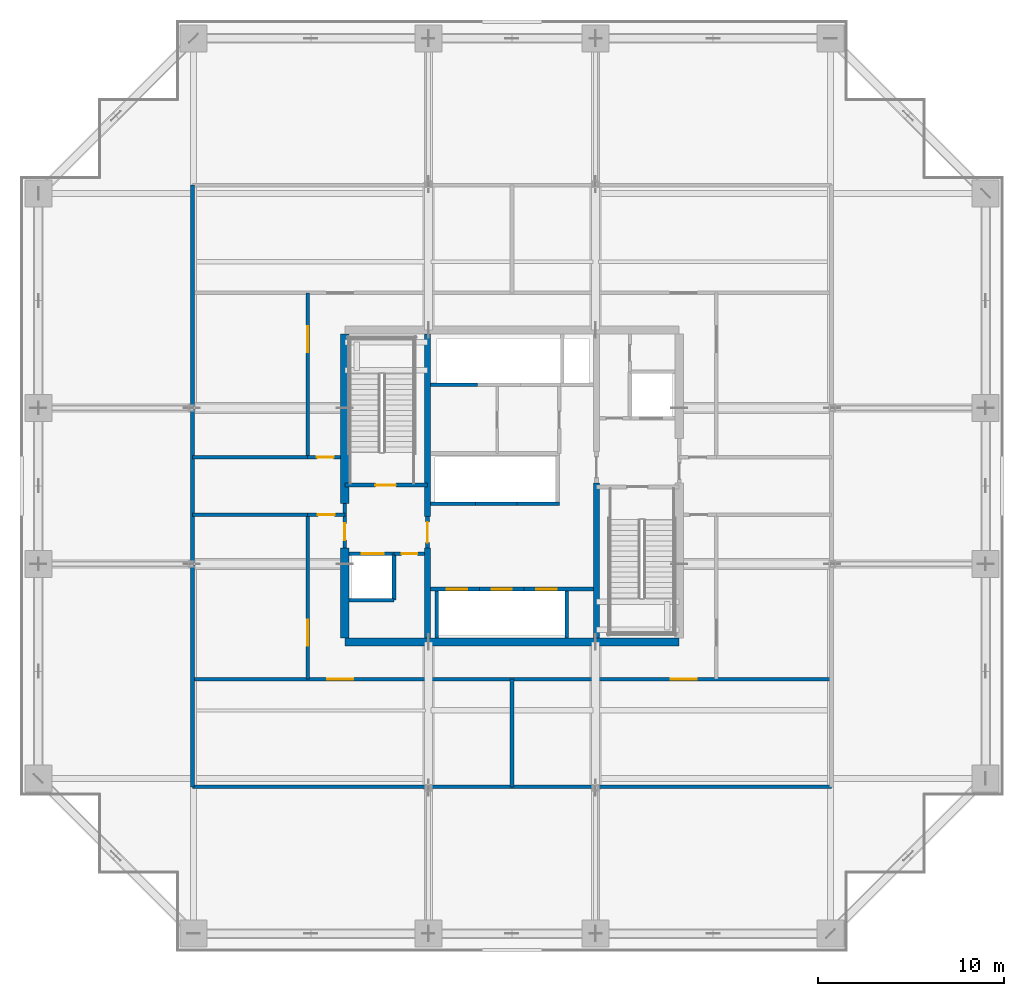
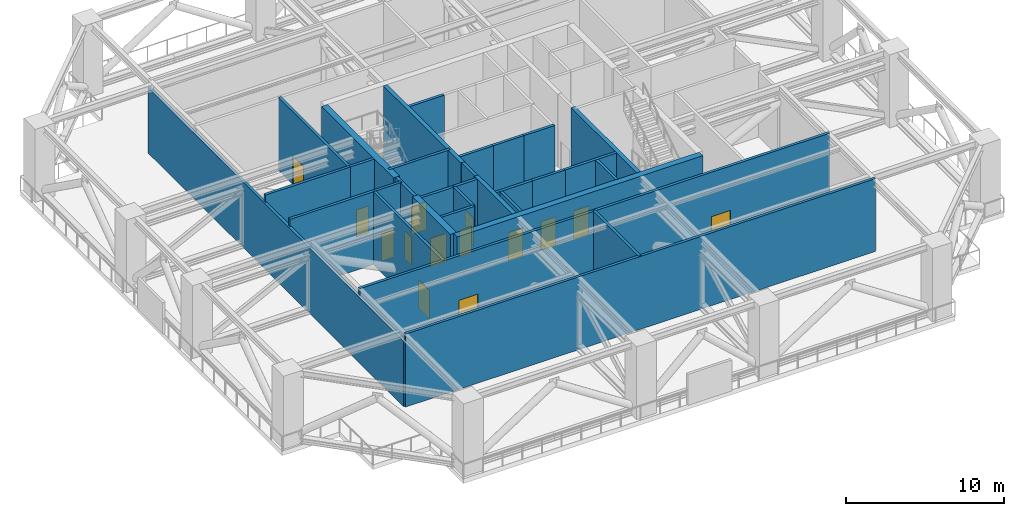
# One storey, part 14 of 21: 32 walls, 14 doors, 14 openings.
"""IFC4 building model written with IfcOpenShell, lengths in metres."""

from ifc_helpers import new_model, si_unit, direction, frame, frame_2d, origin, place, context, subcontext, project, spatial, rectangle, extrude, source, transform, mapped, material, layer, layer_set, type_object, element, fill, save


model = new_model("IFC4")

# Units and contexts
model_context = context("Model", 3, precision=1e-05, world=origin(), true_north=direction((0.0, 1.0)))
body_context = subcontext(model_context, "Body", "Model", "MODEL_VIEW")
ifc_project = project(units=[si_unit("LENGTHUNIT", "METRE"), si_unit("AREAUNIT", "SQUARE_METRE"), si_unit("VOLUMEUNIT", "CUBIC_METRE"), si_unit("PLANEANGLEUNIT", "RADIAN"), si_unit("MASSUNIT", "GRAM", prefix="KILO")], contexts=[model_context])

# Site, building, storey
site_placement = place(None, origin())
site = spatial("IfcSite", under=ifc_project, at=site_placement, CompositionType="ELEMENT")
building_placement = place(site_placement, origin())
building = spatial("IfcBuilding", under=site, at=building_placement, Name="Serunith Strait Residences", CompositionType="ELEMENT")
storey_placement = place(building_placement, frame((0.0, 0.0, 109.199951171875)))
storey = spatial("IfcBuildingStorey", under=building, at=storey_placement, Name="L27", CompositionType="ELEMENT", Elevation=109.199951171875)

# Walls
ifc_material_1 = material(Name="Acoustic concrete block plant wall", Category="concrete")
ifc_layer_1 = layer(ifc_material_1, 0.199951171875, Name="Acoustic concrete block plant wall")
ifc_layer_set_1 = layer_set([ifc_layer_1], Name="Acoustic concrete block plant wall")
wall_type_1 = type_object("IfcWallType", Name="IW-PLANT-200", PredefinedType="STANDARD", material=ifc_layer_set_1)
wall_1_placement = place(storey_placement, frame((15.199951171875, 9.0, 0.0), z_axis=(0.0, 0.0, 1.0), x_axis=(1.0, 0.0, 0.0)))
element("IfcWall", 1, at=wall_1_placement, inside=storey, type_object=wall_type_1, Name="L27 Partition Wall 015", PredefinedType="STANDARD", context=body_context, shape_type="SweptSolid", body=[
    extrude(rectangle(XDim=34.400146484375, YDim=0.199951171875, at=frame_2d((17.2001953125, 0.0))), origin(), (0.0, 0.0, 1.0), 5.64013671875),
])
wall_2_placement = place(storey_placement, frame((15.199951171875, 9.0, 0.0), z_axis=(0.0, 0.0, 1.0), x_axis=(0.0, 1.0, 0.0)))
element("IfcWall", 2, at=wall_2_placement, inside=storey, type_object=wall_type_1, Name="L27 Partition Wall 017", PredefinedType="STANDARD", context=body_context, shape_type="SweptSolid", body=[
    extrude(rectangle(XDim=32.39990234375, YDim=0.199951171875, at=frame_2d((16.199951171875, 0.0))), origin(), (0.0, 0.0, 1.0), 5.072021484375),
])
wall_3_placement = place(storey_placement, frame((15.199951171875, 23.64990234375, 0.0), z_axis=(0.0, 0.0, 1.0), x_axis=(1.0, 0.0, 0.0)))
element("IfcWall", 3, at=wall_3_placement, inside=storey, type_object=wall_type_1, Name="L27 Partition Wall 019", PredefinedType="STANDARD", context=body_context, shape_type="SweptSolid", body=[
    extrude(rectangle(XDim=6.199951171875, YDim=0.199951171875, at=frame_2d((3.10009765625, 0.0))), origin(), (0.0, 0.0, 1.0), 5.64013671875),
])

# Wall, opening, door
wall_4_placement = place(storey_placement, frame((21.402099609375, 23.64990234375, 0.0), z_axis=(0.0, 0.0, 1.0), x_axis=(1.0, 0.0, 0.0)))
wall_4 = element("IfcWall", 4, at=wall_4_placement, inside=storey, type_object=wall_type_1, Name="L27 Partition Wall 020", PredefinedType="STANDARD", context=body_context, shape_type="SweptSolid", body=[
    extrude(rectangle(XDim=1.997802734375, YDim=0.199951171875, at=frame_2d((0.9990234375, 0.0))), origin(), (0.0, 0.0, 1.0), 5.64013671875),
])
opening_1_placement = place(wall_4_placement, frame((0.549072265625, 0.0, 0.0)))
opening_1 = element("IfcOpeningElement", 5, at=opening_1_placement, cuts=wall_4, Name="Opening FD-900", PredefinedType="OPENING", context=body_context, shape_type="SweptSolid", body=[
    extrude(rectangle(XDim=0.89990234375, YDim=2.10009765625, at=frame_2d((0.449951171875, 1.050048828125))), frame((0.0, 0.10986328125, 0.0), z_axis=(0.0, -1.0, 0.0), x_axis=(1.0, 0.0, 0.0)), (0.0, 0.0, 1.0), 0.219970703125),
])
ifc_material_2 = material(Name="Powder-coated steel riser door", Category="steel")
door_type_1 = type_object("IfcDoorType", Name="FD-BOH-900", OperationType="NOTDEFINED", PredefinedType="DOOR", material=ifc_material_2)
shared_shape_1 = source(origin(), body_context, "Body", "SweptSolid", [
    extrude(rectangle(XDim=0.89990234375, YDim=2.10009765625, at=frame_2d((0.449951171875, 1.050048828125))), frame((0.0, 0.02490234375, 0.0), z_axis=(0.0, -1.0, 0.0), x_axis=(1.0, 0.0, 0.0)), (0.0, 0.0, 1.0), 0.050048828125),
])
door_1_placement = place(opening_1_placement, origin())
door_1 = element("IfcDoor", 6, at=door_1_placement, inside=storey, type_object=door_type_1, Name="L27 South-West Plant Corridor Door", OperationType="SINGLE_SWING_RIGHT", OverallHeight=2.10009765625, OverallWidth=0.89990234375, PredefinedType="DOOR", context=body_context, shape_type="MappedRepresentation", body=[
    mapped(shared_shape_1, transform((0.0, 0.0, 0.0), scale=1.0)),
])
fill(opening_1, door_1)

# Wall
wall_5_placement = place(storey_placement, frame((15.199951171875, 26.75, 0.0), z_axis=(0.0, 0.0, 1.0), x_axis=(1.0, 0.0, 0.0)))
element("IfcWall", 7, at=wall_5_placement, inside=storey, type_object=wall_type_1, Name="L27 Partition Wall 021", PredefinedType="STANDARD", context=body_context, shape_type="SweptSolid", body=[
    extrude(rectangle(XDim=6.199951171875, YDim=0.199951171875, at=frame_2d((3.10009765625, 0.0))), origin(), (0.0, 0.0, 1.0), 5.64013671875),
])

# Wall, opening, door
wall_6_placement = place(storey_placement, frame((21.402099609375, 26.75, 0.0), z_axis=(0.0, 0.0, 1.0), x_axis=(1.0, 0.0, 0.0)))
wall_6 = element("IfcWall", 8, at=wall_6_placement, inside=storey, type_object=wall_type_1, Name="L27 Partition Wall 022", PredefinedType="STANDARD", context=body_context, shape_type="SweptSolid", body=[
    extrude(rectangle(XDim=1.77294921875, YDim=0.199951171875, at=frame_2d((0.886474609375, 0.0))), origin(), (0.0, 0.0, 1.0), 5.64013671875),
])
opening_2_placement = place(wall_6_placement, frame((0.490966796875, 0.0, 0.0)))
opening_2 = element("IfcOpeningElement", 9, at=opening_2_placement, cuts=wall_6, Name="Opening FD-900", PredefinedType="OPENING", context=body_context, shape_type="SweptSolid", body=[
    extrude(rectangle(XDim=0.89990234375, YDim=2.10009765625, at=frame_2d((0.449951171875, 1.050048828125))), frame((0.0, 0.10986328125, 0.0), z_axis=(0.0, -1.0, 0.0), x_axis=(1.0, 0.0, 0.0)), (0.0, 0.0, 1.0), 0.219970703125),
])
door_2_placement = place(opening_2_placement, origin())
door_2 = element("IfcDoor", 10, at=door_2_placement, inside=storey, type_object=door_type_1, Name="L27 North-West Plant Corridor Door", OperationType="SINGLE_SWING_LEFT", OverallHeight=2.10009765625, OverallWidth=0.89990234375, PredefinedType="DOOR", context=body_context, shape_type="MappedRepresentation", body=[
    mapped(shared_shape_1, transform((0.0, 0.0, 0.0), scale=1.0)),
])
fill(opening_2, door_2)

# Wall, openings, doors
wall_7_placement = place(storey_placement, frame((15.199951171875, 14.800048828125, 0.0), z_axis=(0.0, 0.0, 1.0), x_axis=(1.0, 0.0, 0.0)))
wall_7 = element("IfcWall", 11, at=wall_7_placement, inside=storey, type_object=wall_type_1, Name="L27 Partition Wall 027", PredefinedType="STANDARD", context=body_context, shape_type="SweptSolid", body=[
    extrude(rectangle(XDim=34.400146484375, YDim=0.199951171875, at=frame_2d((17.2001953125, 0.0))), origin(), (0.0, 0.0, 1.0), 5.64013671875),
])
opening_3_placement = place(wall_7_placement, frame((7.260009765625, 0.0, 0.0)))
opening_3 = element("IfcOpeningElement", 12, at=opening_3_placement, cuts=wall_7, Name="Opening FD-1400", PredefinedType="OPENING", context=body_context, shape_type="SweptSolid", body=[
    extrude(rectangle(XDim=1.39990234375, YDim=2.199951171875, at=frame_2d((0.699951171875, 1.10009765625))), frame((0.0, 0.10986328125, 0.0), z_axis=(0.0, -1.0, 0.0), x_axis=(1.0, 0.0, 0.0)), (0.0, 0.0, 1.0), 0.219970703125),
])
opening_4_placement = place(wall_7_placement, frame((25.739990234375, 0.0, 0.0)))
opening_4 = element("IfcOpeningElement", 13, at=opening_4_placement, cuts=wall_7, Name="Opening FD-1400", PredefinedType="OPENING", context=body_context, shape_type="SweptSolid", body=[
    extrude(rectangle(XDim=1.39990234375, YDim=2.199951171875, at=frame_2d((0.699951171875, 1.10009765625))), frame((0.0, 0.10986328125, 0.0), z_axis=(0.0, -1.0, 0.0), x_axis=(1.0, 0.0, 0.0)), (0.0, 0.0, 1.0), 0.219970703125),
])
ifc_material_3 = material(Name="Acoustic double-skin steel plant door", Category="steel")
door_type_2 = type_object("IfcDoorType", Name="FD-PLANT-1400", OperationType="DOUBLE_DOOR_SINGLE_SWING", PredefinedType="DOOR", material=ifc_material_3)
shared_shape_2 = source(origin(), body_context, "Body", "SweptSolid", [
    extrude(rectangle(XDim=1.39990234375, YDim=2.199951171875, at=frame_2d((0.699951171875, 1.10009765625))), frame((0.0, 0.02490234375, 0.0), z_axis=(0.0, -1.0, 0.0), x_axis=(1.0, 0.0, 0.0)), (0.0, 0.0, 1.0), 0.050048828125),
])
door_3_placement = place(opening_3_placement, origin())
door_3 = element("IfcDoor", 14, at=door_3_placement, inside=storey, type_object=door_type_2, Name="L27 Chilled Water Plant Door", OperationType="DOUBLE_DOOR_SINGLE_SWING", OverallHeight=2.199951171875, OverallWidth=1.39990234375, PredefinedType="DOOR", context=body_context, shape_type="MappedRepresentation", body=[
    mapped(shared_shape_2, transform((0.0, 0.0, 0.0), scale=1.0)),
])
fill(opening_3, door_3)
door_4_placement = place(opening_4_placement, origin())
door_4 = element("IfcDoor", 15, at=door_4_placement, inside=storey, type_object=door_type_2, Name="L27 AHU Mechanical Plant Door", OperationType="DOUBLE_DOOR_SINGLE_SWING", OverallHeight=2.199951171875, OverallWidth=1.39990234375, PredefinedType="DOOR", context=body_context, shape_type="MappedRepresentation", body=[
    mapped(shared_shape_2, transform((0.0, 0.0, 0.0), scale=1.0)),
])
fill(opening_4, door_4)

# Wall
wall_8_placement = place(storey_placement, frame((32.39990234375, 9.0, 0.0), z_axis=(0.0, 0.0, 1.0), x_axis=(0.0, 1.0, 0.0)))
element("IfcWall", 16, at=wall_8_placement, inside=storey, type_object=wall_type_1, Name="L27 Partition Wall 029", PredefinedType="STANDARD", context=body_context, shape_type="SweptSolid", body=[
    extrude(rectangle(XDim=5.800048828125, YDim=0.199951171875, at=frame_2d((2.89990234375, 0.0))), origin(), (0.0, 0.0, 1.0), 5.64013671875),
])

# Wall, opening, door
wall_9_placement = place(storey_placement, frame((21.39990234375, 14.800048828125, 0.0), z_axis=(0.0, 0.0, 1.0), x_axis=(0.0, 1.0, 0.0)))
wall_9 = element("IfcWall", 17, at=wall_9_placement, inside=storey, type_object=wall_type_1, Name="L27 Partition Wall 031", PredefinedType="STANDARD", context=body_context, shape_type="SweptSolid", body=[
    extrude(rectangle(XDim=8.849853515625, YDim=0.199951171875, at=frame_2d((4.4248046875, 0.0))), origin(), (0.0, 0.0, 1.0), 5.64013671875),
])
opening_5_placement = place(wall_9_placement, frame((1.7880859375, 0.0, 0.0)))
opening_5 = element("IfcOpeningElement", 18, at=opening_5_placement, cuts=wall_9, Name="Opening FD-1400", PredefinedType="OPENING", context=body_context, shape_type="SweptSolid", body=[
    extrude(rectangle(XDim=1.39990234375, YDim=2.199951171875, at=frame_2d((0.699951171875, 1.10009765625))), frame((0.0, 0.10986328125, 0.0), z_axis=(0.0, -1.0, 0.0), x_axis=(1.0, 0.0, 0.0)), (0.0, 0.0, 1.0), 0.219970703125),
])
door_5_placement = place(opening_5_placement, origin())
door_5 = element("IfcDoor", 19, at=door_5_placement, inside=storey, type_object=door_type_2, Name="L27 South-West Fan Plant Door", OperationType="DOUBLE_DOOR_SINGLE_SWING", OverallHeight=2.199951171875, OverallWidth=1.39990234375, PredefinedType="DOOR", context=body_context, shape_type="MappedRepresentation", body=[
    mapped(shared_shape_2, transform((0.0, 0.0, 0.0), scale=1.0)),
])
fill(opening_5, door_5)

wall_10_placement = place(storey_placement, frame((21.39990234375, 26.75, 0.0), z_axis=(0.0, 0.0, 1.0), x_axis=(0.0, 1.0, 0.0)))
wall_10 = element("IfcWall", 20, at=wall_10_placement, inside=storey, type_object=wall_type_1, Name="L27 Partition Wall 032", PredefinedType="STANDARD", context=body_context, shape_type="SweptSolid", body=[
    extrude(rectangle(XDim=8.85009765625, YDim=0.199951171875, at=frame_2d((4.425048828125, 0.0))), origin(), (0.0, 0.0, 1.0), 5.64013671875),
])
opening_6_placement = place(wall_10_placement, frame((5.662109375, 0.0, 0.0)))
opening_6 = element("IfcOpeningElement", 21, at=opening_6_placement, cuts=wall_10, Name="Opening FD-1400", PredefinedType="OPENING", context=body_context, shape_type="SweptSolid", body=[
    extrude(rectangle(XDim=1.39990234375, YDim=2.199951171875, at=frame_2d((0.699951171875, 1.10009765625))), frame((0.0, 0.10986328125, 0.0), z_axis=(0.0, -1.0, 0.0), x_axis=(1.0, 0.0, 0.0)), (0.0, 0.0, 1.0), 0.219970703125),
])
door_6_placement = place(opening_6_placement, origin())
door_6 = element("IfcDoor", 22, at=door_6_placement, inside=storey, type_object=door_type_2, Name="L27 North-West Fan Plant Door", OperationType="DOUBLE_DOOR_SINGLE_SWING", OverallHeight=2.199951171875, OverallWidth=1.39990234375, PredefinedType="DOOR", context=body_context, shape_type="MappedRepresentation", body=[
    mapped(shared_shape_2, transform((0.0, 0.0, 0.0), scale=1.0)),
])
fill(opening_6, door_6)

ifc_material_4 = material(Name="Autoclaved aerated concrete blockwork", Category="masonry")
ifc_layer_2 = layer(ifc_material_4, 0.199951171875, Name="Autoclaved aerated concrete blockwork")
ifc_layer_set_2 = layer_set([ifc_layer_2], Name="Autoclaved aerated concrete blockwork")
wall_type_2 = type_object("IfcWallType", Name="IW-SHAFT-200", PredefinedType="STANDARD", material=ifc_layer_set_2)
wall_11_placement = place(storey_placement, frame((23.39990234375, 25.25, 0.0), z_axis=(0.0, 0.0, 1.0), x_axis=(1.0, 0.0, 0.0)))
wall_11 = element("IfcWall", 23, at=wall_11_placement, inside=storey, type_object=wall_type_2, Name="L27 ST-1 South Shaft Wall", PredefinedType="STANDARD", context=body_context, shape_type="SweptSolid", body=[
    extrude(rectangle(XDim=4.4501953125, YDim=0.199951171875, at=frame_2d((2.22509765625, 0.0))), origin(), (0.0, 0.0, 1.0), 5.64013671875),
])
opening_7_placement = place(wall_11_placement, frame((1.64990234375, 0.0, 0.0)))
opening_7 = element("IfcOpeningElement", 24, at=opening_7_placement, cuts=wall_11, Name="Opening FD-1100", PredefinedType="OPENING", context=body_context, shape_type="SweptSolid", body=[
    extrude(rectangle(XDim=1.10009765625, YDim=2.14990234375, at=frame_2d((0.550048828125, 1.074951171875))), frame((0.0, 0.10986328125, 0.0), z_axis=(0.0, -1.0, 0.0), x_axis=(1.0, 0.0, 0.0)), (0.0, 0.0, 1.0), 0.219970703125),
])
ifc_material_5 = material(Name="Galvanised steel fire door leaf", Category="steel")
door_type_3 = type_object("IfcDoorType", Name="FD-STAIR-1100", OperationType="NOTDEFINED", PredefinedType="DOOR", material=ifc_material_5)
shared_shape_3 = source(origin(), body_context, "Body", "SweptSolid", [
    extrude(rectangle(XDim=1.10009765625, YDim=2.14990234375, at=frame_2d((0.550048828125, 1.074951171875))), frame((0.0, 0.02490234375, 0.0), z_axis=(0.0, -1.0, 0.0), x_axis=(1.0, 0.0, 0.0)), (0.0, 0.0, 1.0), 0.050048828125),
])
door_7_placement = place(opening_7_placement, origin())
door_7 = element("IfcDoor", 25, at=door_7_placement, inside=storey, type_object=door_type_3, Name="L27 ST-1 Escape Stair Door", OperationType="SINGLE_SWING_LEFT", OverallHeight=2.14990234375, OverallWidth=1.10009765625, PredefinedType="DOOR", context=body_context, shape_type="MappedRepresentation", body=[
    mapped(shared_shape_3, transform((0.0, 0.0, 0.0), scale=1.0)),
])
fill(opening_7, door_7)

wall_12_placement = place(storey_placement, frame((23.625, 21.550048828125, 0.0), z_axis=(0.0, 0.0, 1.0), x_axis=(1.0, 0.0, 0.0)))
wall_12 = element("IfcWall", 26, at=wall_12_placement, inside=storey, type_object=wall_type_2, Name="L27 FL-1 North Shaft Wall", PredefinedType="STANDARD", context=body_context, shape_type="SweptSolid", body=[
    extrude(rectangle(XDim=2.425048828125, YDim=0.199951171875, at=frame_2d((1.21240234375, 0.0))), origin(), (0.0, 0.0, 1.0), 5.64013671875),
])
opening_8_placement = place(wall_12_placement, frame((0.675048828125, 0.0, 0.0)))
opening_8 = element("IfcOpeningElement", 27, at=opening_8_placement, cuts=wall_12, Name="Opening LD-FF1200", PredefinedType="OPENING", context=body_context, shape_type="SweptSolid", body=[
    extrude(rectangle(XDim=1.199951171875, YDim=2.199951171875, at=frame_2d((0.60009765625, 1.10009765625))), frame((0.0, 0.10986328125, 0.0), z_axis=(0.0, -1.0, 0.0), x_axis=(1.0, 0.0, 0.0)), (0.0, 0.0, 1.0), 0.219970703125),
])
ifc_material_6 = material(Name="Brushed stainless steel landing door", Category="steel")
door_type_4 = type_object("IfcDoorType", Name="LD-FF-1200", OperationType="DOUBLE_DOOR_SLIDING", PredefinedType="DOOR", material=ifc_material_6)
shared_shape_4 = source(origin(), body_context, "Body", "SweptSolid", [
    extrude(rectangle(XDim=1.199951171875, YDim=2.199951171875, at=frame_2d((0.60009765625, 1.10009765625))), frame((0.0, 0.02490234375, 0.0), z_axis=(0.0, -1.0, 0.0), x_axis=(1.0, 0.0, 0.0)), (0.0, 0.0, 1.0), 0.050048828125),
])
door_8_placement = place(opening_8_placement, origin())
door_8 = element("IfcDoor", 28, at=door_8_placement, inside=storey, type_object=door_type_4, Name="L27 FL-1 Landing Door", OperationType="DOUBLE_DOOR_SLIDING", OverallHeight=2.199951171875, OverallWidth=1.199951171875, PredefinedType="DOOR", context=body_context, shape_type="MappedRepresentation", body=[
    mapped(shared_shape_4, transform((0.0, 0.0, 0.0), scale=1.0)),
])
fill(opening_8, door_8)

wall_13_placement = place(storey_placement, frame((28.0, 19.64990234375, 0.0), z_axis=(0.0, 0.0, 1.0), x_axis=(1.0, 0.0, 0.0)))
wall_13 = element("IfcWall", 29, at=wall_13_placement, inside=storey, type_object=wall_type_2, Name="L27 PL-1 North Shaft Wall", PredefinedType="STANDARD", context=body_context, shape_type="SweptSolid", body=[
    extrude(rectangle(XDim=2.64990234375, YDim=0.199951171875, at=frame_2d((1.324951171875, 0.0))), origin(), (0.0, 0.0, 1.0), 5.64013671875),
])
opening_9_placement = place(wall_13_placement, frame((0.89990234375, 0.0, 0.0)))
opening_9 = element("IfcOpeningElement", 30, at=opening_9_placement, cuts=wall_13, Name="Opening LD-1100", PredefinedType="OPENING", context=body_context, shape_type="SweptSolid", body=[
    extrude(rectangle(XDim=1.10009765625, YDim=2.199951171875, at=frame_2d((0.550048828125, 1.10009765625))), frame((0.0, 0.10986328125, 0.0), z_axis=(0.0, -1.0, 0.0), x_axis=(1.0, 0.0, 0.0)), (0.0, 0.0, 1.0), 0.219970703125),
])
ifc_material_7 = material(Name="Pale-champagne stainless landing door")
door_type_5 = type_object("IfcDoorType", Name="LD-LIFT-1100", OperationType="DOUBLE_DOOR_SLIDING", PredefinedType="DOOR", material=ifc_material_7)
shared_shape_5 = source(origin(), body_context, "Body", "SweptSolid", [
    extrude(rectangle(XDim=1.10009765625, YDim=2.199951171875, at=frame_2d((0.550048828125, 1.10009765625))), frame((0.0, 0.02490234375, 0.0), z_axis=(0.0, -1.0, 0.0), x_axis=(1.0, 0.0, 0.0)), (0.0, 0.0, 1.0), 0.050048828125),
])
door_9_placement = place(opening_9_placement, origin())
door_9 = element("IfcDoor", 31, at=door_9_placement, inside=storey, type_object=door_type_5, Name="L27 PL-1 Landing Door", OperationType="DOUBLE_DOOR_SLIDING", OverallHeight=2.199951171875, OverallWidth=1.10009765625, PredefinedType="DOOR", context=body_context, shape_type="MappedRepresentation", body=[
    mapped(shared_shape_5, transform((0.0, 0.0, 0.0), scale=1.0)),
])
fill(opening_9, door_9)

# Wall
wall_14_placement = place(storey_placement, frame((28.35009765625, 17.02490234375, 0.0), z_axis=(0.0, 0.0, 1.0), x_axis=(0.0, 1.0, 0.0)))
element("IfcWall", 32, at=wall_14_placement, inside=storey, type_object=wall_type_2, Name="L27 PL-1 West Shaft Wall", PredefinedType="STANDARD", context=body_context, shape_type="SweptSolid", body=[
    extrude(rectangle(XDim=2.525146484375, YDim=0.199951171875, at=frame_2d((1.2626953125, 0.0))), origin(), (0.0, 0.0, 1.0), 5.64013671875),
])

# Wall, opening, door
wall_15_placement = place(storey_placement, frame((30.64990234375, 19.64990234375, 0.0), z_axis=(0.0, 0.0, 1.0), x_axis=(1.0, 0.0, 0.0)))
wall_15 = element("IfcWall", 33, at=wall_15_placement, inside=storey, type_object=wall_type_2, Name="L27 PL-2 North Shaft Wall", PredefinedType="STANDARD", context=body_context, shape_type="SweptSolid", body=[
    extrude(rectangle(XDim=2.400146484375, YDim=0.199951171875, at=frame_2d((1.2001953125, 0.0))), origin(), (0.0, 0.0, 1.0), 5.64013671875),
])
opening_10_placement = place(wall_15_placement, frame((0.64990234375, 0.0, 0.0)))
opening_10 = element("IfcOpeningElement", 34, at=opening_10_placement, cuts=wall_15, Name="Opening LD-1100", PredefinedType="OPENING", context=body_context, shape_type="SweptSolid", body=[
    extrude(rectangle(XDim=1.10009765625, YDim=2.199951171875, at=frame_2d((0.550048828125, 1.10009765625))), frame((0.0, 0.10986328125, 0.0), z_axis=(0.0, -1.0, 0.0), x_axis=(1.0, 0.0, 0.0)), (0.0, 0.0, 1.0), 0.219970703125),
])
door_10_placement = place(opening_10_placement, origin())
door_10 = element("IfcDoor", 35, at=door_10_placement, inside=storey, type_object=door_type_5, Name="L27 PL-2 Landing Door", OperationType="DOUBLE_DOOR_SLIDING", OverallHeight=2.199951171875, OverallWidth=1.10009765625, PredefinedType="DOOR", context=body_context, shape_type="MappedRepresentation", body=[
    mapped(shared_shape_5, transform((0.0, 0.0, 0.0), scale=1.0)),
])
fill(opening_10, door_10)

wall_16_placement = place(storey_placement, frame((33.050048828125, 19.64990234375, 0.0), z_axis=(0.0, 0.0, 1.0), x_axis=(1.0, 0.0, 0.0)))
wall_16 = element("IfcWall", 36, at=wall_16_placement, inside=storey, type_object=wall_type_2, Name="L27 PL-3 North Shaft Wall", PredefinedType="STANDARD", context=body_context, shape_type="SweptSolid", body=[
    extrude(rectangle(XDim=3.75, YDim=0.199951171875, at=frame_2d((1.875, 0.0))), origin(), (0.0, 0.0, 1.0), 5.64013671875),
])
opening_11_placement = place(wall_16_placement, frame((0.64990234375, 0.0, 0.0)))
opening_11 = element("IfcOpeningElement", 37, at=opening_11_placement, cuts=wall_16, Name="Opening LD-1100", PredefinedType="OPENING", context=body_context, shape_type="SweptSolid", body=[
    extrude(rectangle(XDim=1.10009765625, YDim=2.199951171875, at=frame_2d((0.550048828125, 1.10009765625))), frame((0.0, 0.10986328125, 0.0), z_axis=(0.0, -1.0, 0.0), x_axis=(1.0, 0.0, 0.0)), (0.0, 0.0, 1.0), 0.219970703125),
])
door_11_placement = place(opening_11_placement, origin())
door_11 = element("IfcDoor", 38, at=door_11_placement, inside=storey, type_object=door_type_5, Name="L27 PL-3 Landing Door", OperationType="DOUBLE_DOOR_SLIDING", OverallHeight=2.199951171875, OverallWidth=1.10009765625, PredefinedType="DOOR", context=body_context, shape_type="MappedRepresentation", body=[
    mapped(shared_shape_5, transform((0.0, 0.0, 0.0), scale=1.0)),
])
fill(opening_11, door_11)

# Walls
wall_17_placement = place(storey_placement, frame((35.35009765625, 17.02490234375, 0.0), z_axis=(0.0, 0.0, 1.0), x_axis=(0.0, 1.0, 0.0)))
element("IfcWall", 39, at=wall_17_placement, inside=storey, type_object=wall_type_2, Name="L27 PL-3 East Shaft Wall", PredefinedType="STANDARD", context=body_context, shape_type="SweptSolid", body=[
    extrude(rectangle(XDim=2.525146484375, YDim=0.199951171875, at=frame_2d((1.2626953125, 0.0))), origin(), (0.0, 0.0, 1.0), 5.64013671875),
])
wall_18_placement = place(storey_placement, frame((28.0, 24.25, 0.0), z_axis=(0.0, 0.0, 1.0), x_axis=(1.0, 0.0, 0.0)))
element("IfcWall", 40, at=wall_18_placement, inside=storey, type_object=wall_type_2, Name="L27 PL-4 South Shaft Wall", PredefinedType="STANDARD", context=body_context, shape_type="SweptSolid", body=[
    extrude(rectangle(XDim=2.425048828125, YDim=0.199951171875, at=frame_2d((1.21240234375, 0.0))), origin(), (0.0, 0.0, 1.0), 5.64013671875),
])
wall_19_placement = place(storey_placement, frame((30.425048828125, 24.25, 0.0), z_axis=(0.0, 0.0, 1.0), x_axis=(1.0, 0.0, 0.0)))
element("IfcWall", 41, at=wall_19_placement, inside=storey, type_object=wall_type_2, Name="L27 PL-5 South Shaft Wall", PredefinedType="STANDARD", context=body_context, shape_type="SweptSolid", body=[
    extrude(rectangle(XDim=2.25, YDim=0.199951171875, at=frame_2d((1.125, 0.0))), origin(), (0.0, 0.0, 1.0), 5.64013671875),
])
wall_20_placement = place(storey_placement, frame((32.675048828125, 24.25, 0.0), z_axis=(0.0, 0.0, 1.0), x_axis=(1.0, 0.0, 0.0)))
element("IfcWall", 42, at=wall_20_placement, inside=storey, type_object=wall_type_2, Name="L27 PL-6 South Shaft Wall", PredefinedType="STANDARD", context=body_context, shape_type="SweptSolid", body=[
    extrude(rectangle(XDim=2.27490234375, YDim=0.199951171875, at=frame_2d((1.137451171875, 0.0))), origin(), (0.0, 0.0, 1.0), 5.64013671875),
])
wall_21_placement = place(storey_placement, frame((28.0, 30.64990234375, 0.0), z_axis=(0.0, 0.0, 1.0), x_axis=(1.0, 0.0, 0.0)))
element("IfcWall", 43, at=wall_21_placement, inside=storey, type_object=wall_type_2, Name="L27 PL-7 South Shaft Wall", PredefinedType="STANDARD", context=body_context, shape_type="SweptSolid", body=[
    extrude(rectangle(XDim=2.550048828125, YDim=0.199951171875, at=frame_2d((1.27490234375, 0.0))), origin(), (0.0, 0.0, 1.0), 5.64013671875),
])
wall_22_placement = place(storey_placement, frame((26.050048828125, 19.050048828125, 0.0), z_axis=(0.0, 0.0, 1.0), x_axis=(0.0, 1.0, 0.0)))
element("IfcWall", 44, at=wall_22_placement, inside=storey, type_object=wall_type_2, Name="L27 Partition Wall 001", PredefinedType="STANDARD", context=body_context, shape_type="SweptSolid", body=[
    extrude(rectangle(XDim=2.5, YDim=0.199951171875, at=frame_2d((1.25, 0.0))), origin(), (0.0, 0.0, 1.0), 5.64013671875),
])
wall_23_placement = place(storey_placement, frame((23.625, 19.050048828125, 0.0), z_axis=(0.0, 0.0, 1.0), x_axis=(1.0, 0.0, 0.0)))
element("IfcWall", 45, at=wall_23_placement, inside=storey, type_object=wall_type_2, Name="L27 Partition Wall 002", PredefinedType="STANDARD", context=body_context, shape_type="SweptSolid", body=[
    extrude(rectangle(XDim=2.425048828125, YDim=0.199951171875, at=frame_2d((1.21240234375, 0.0))), origin(), (0.0, 0.0, 1.0), 5.64013671875),
])

# Wall, opening, door
wall_24_placement = place(storey_placement, frame((26.052001953125, 21.550048828125, 0.0), z_axis=(0.0, 0.0, 1.0), x_axis=(1.0, 0.0, 0.0)))
wall_24 = element("IfcWall", 46, at=wall_24_placement, inside=storey, type_object=wall_type_2, Name="L27 Partition Wall 003", PredefinedType="STANDARD", context=body_context, shape_type="SweptSolid", body=[
    extrude(rectangle(XDim=1.64794921875, YDim=0.199951171875, at=frame_2d((0.823974609375, 0.0))), origin(), (0.0, 0.0, 1.0), 5.64013671875),
])
opening_12_placement = place(wall_24_placement, frame((0.39892578125, 0.0, 0.0)))
opening_12 = element("IfcOpeningElement", 47, at=opening_12_placement, cuts=wall_24, Name="Opening FD-850", PredefinedType="OPENING", context=body_context, shape_type="SweptSolid", body=[
    extrude(rectangle(XDim=0.85009765625, YDim=2.10009765625, at=frame_2d((0.425048828125, 1.050048828125))), frame((0.0, 0.10986328125, 0.0), z_axis=(0.0, -1.0, 0.0), x_axis=(1.0, 0.0, 0.0)), (0.0, 0.0, 1.0), 0.219970703125),
])
ifc_material_8 = material(Name="Powder-coated steel service closet door", Category="steel")
door_type_6 = type_object("IfcDoorType", Name="FD-BOH-850", OperationType="NOTDEFINED", PredefinedType="DOOR", material=ifc_material_8)
shared_shape_6 = source(origin(), body_context, "Body", "SweptSolid", [
    extrude(rectangle(XDim=0.85009765625, YDim=2.10009765625, at=frame_2d((0.425048828125, 1.050048828125))), frame((0.0, 0.02490234375, 0.0), z_axis=(0.0, -1.0, 0.0), x_axis=(1.0, 0.0, 0.0)), (0.0, 0.0, 1.0), 0.050048828125),
])
door_12_placement = place(opening_12_placement, origin())
door_12 = element("IfcDoor", 48, at=door_12_placement, inside=storey, type_object=door_type_6, Name="L27 South-West Core Service Door", OperationType="SINGLE_SWING_LEFT", OverallHeight=2.10009765625, OverallWidth=0.85009765625, PredefinedType="DOOR", context=body_context, shape_type="MappedRepresentation", body=[
    mapped(shared_shape_6, transform((0.0, 0.0, 0.0), scale=1.0)),
])
fill(opening_12, door_12)

wall_25_placement = place(storey_placement, frame((23.39990234375, 21.85205078125, 0.0), z_axis=(0.0, 0.0, 1.0), x_axis=(0.0, 1.0, 0.0)))
wall_25 = element("IfcWall", 49, at=wall_25_placement, inside=storey, type_object=wall_type_2, Name="L27 Partition Wall 007", PredefinedType="STANDARD", context=body_context, shape_type="SweptSolid", body=[
    extrude(rectangle(XDim=2.39599609375, YDim=0.199951171875, at=frame_2d((1.197998046875, 0.0))), origin(), (0.0, 0.0, 1.0), 5.64013671875),
])
opening_13_placement = place(wall_25_placement, frame((0.43701171875, 0.0, 0.0)))
opening_13 = element("IfcOpeningElement", 50, at=opening_13_placement, cuts=wall_25, Name="Opening FD-900", PredefinedType="OPENING", context=body_context, shape_type="SweptSolid", body=[
    extrude(rectangle(XDim=0.89990234375, YDim=2.10009765625, at=frame_2d((0.449951171875, 1.050048828125))), frame((0.0, 0.10986328125, 0.0), z_axis=(0.0, -1.0, 0.0), x_axis=(1.0, 0.0, 0.0)), (0.0, 0.0, 1.0), 0.219970703125),
])
door_13_placement = place(opening_13_placement, origin())
door_13 = element("IfcDoor", 51, at=door_13_placement, inside=storey, type_object=door_type_1, Name="L27 FFL-1 Corridor Fire Door", OperationType="SINGLE_SWING_LEFT", OverallHeight=2.10009765625, OverallWidth=0.89990234375, PredefinedType="DOOR", context=body_context, shape_type="MappedRepresentation", body=[
    mapped(shared_shape_1, transform((0.0, 0.0, 0.0), scale=1.0)),
])
fill(opening_13, door_13)

wall_26_placement = place(storey_placement, frame((27.85009765625, 21.85205078125, 0.0), z_axis=(0.0, 0.0, 1.0), x_axis=(0.0, 1.0, 0.0)))
wall_26 = element("IfcWall", 52, at=wall_26_placement, inside=storey, type_object=wall_type_2, Name="L27 Partition Wall 009", PredefinedType="STANDARD", context=body_context, shape_type="SweptSolid", body=[
    extrude(rectangle(XDim=1.696044921875, YDim=0.199951171875, at=frame_2d((0.84814453125, 0.0))), origin(), (0.0, 0.0, 1.0), 5.64013671875),
])
opening_14_placement = place(wall_26_placement, frame((0.298095703125, 0.0, 0.0)))
opening_14 = element("IfcOpeningElement", 53, at=opening_14_placement, cuts=wall_26, Name="Opening FD-FFL", PredefinedType="OPENING", context=body_context, shape_type="SweptSolid", body=[
    extrude(rectangle(XDim=1.10009765625, YDim=2.14990234375, at=frame_2d((0.550048828125, 1.074951171875))), frame((0.0, 0.10986328125, 0.0), z_axis=(0.0, -1.0, 0.0), x_axis=(1.0, 0.0, 0.0)), (0.0, 0.0, 1.0), 0.219970703125),
])
ifc_material_9 = material(Name="Glazed steel smoke-lobby fire door", Category="steel")
door_type_7 = type_object("IfcDoorType", Name="FD-FFL-1100", OperationType="NOTDEFINED", PredefinedType="DOOR", material=ifc_material_9)
door_14_placement = place(opening_14_placement, origin())
door_14 = element("IfcDoor", 54, at=door_14_placement, inside=storey, type_object=door_type_7, Name="L27 FFL-1 Lift Lobby Door", OperationType="SINGLE_SWING_LEFT", OverallHeight=2.14990234375, OverallWidth=1.10009765625, PredefinedType="DOOR", context=body_context, shape_type="MappedRepresentation", body=[
    mapped(shared_shape_3, transform((0.0, 0.0, 0.0), scale=1.0)),
])
fill(opening_14, door_14)

# Walls
ifc_material_10 = material(Name="Concrete C80/95", Category="concrete")
ifc_layer_3 = layer(ifc_material_10, 0.300048828125, Name="Concrete C80/95")
ifc_layer_set_3 = layer_set([ifc_layer_3], Name="Concrete C80/95")
wall_type_3 = type_object("IfcWallType", Name="SW-300-C80", PredefinedType="SHEAR", material=ifc_layer_set_3)
wall_27_placement = place(storey_placement, frame((27.85009765625, 17.02490234375, -0.35986328125), z_axis=(0.0, 0.0, 1.0), x_axis=(0.0, 1.0, 0.0)))
element("IfcWall", 55, at=wall_27_placement, inside=storey, type_object=wall_type_3, Name="L27 Core Internal West Web South Pier", PredefinedType="SHEAR", context=body_context, shape_type="SweptSolid", body=[
    extrude(rectangle(XDim=4.8251953125, YDim=0.300048828125, at=frame_2d((2.41259765625, 0.0))), origin(), (0.0, 0.0, 1.0), 5.997802734375),
])
wall_28_placement = place(storey_placement, frame((27.85009765625, 23.550048828125, -0.35986328125), z_axis=(0.0, 0.0, 1.0), x_axis=(0.0, 1.0, 0.0)))
element("IfcWall", 56, at=wall_28_placement, inside=storey, type_object=wall_type_3, Name="L27 Core Internal West Web North Pier", PredefinedType="SHEAR", context=body_context, shape_type="SweptSolid", body=[
    extrude(rectangle(XDim=9.824951171875, YDim=0.300048828125, at=frame_2d((4.91259765625, 0.0))), origin(), (0.0, 0.0, 1.0), 5.997802734375),
])
wall_29_placement = place(storey_placement, frame((36.949951171875, 17.02490234375, -0.35986328125), z_axis=(0.0, 0.0, 1.0), x_axis=(0.0, 1.0, 0.0)))
element("IfcWall", 57, at=wall_29_placement, inside=storey, type_object=wall_type_3, Name="L27 Core Internal East Web South Pier", PredefinedType="SHEAR", context=body_context, shape_type="SweptSolid", body=[
    extrude(rectangle(XDim=8.3251953125, YDim=0.300048828125, at=frame_2d((4.16259765625, 0.0))), origin(), (0.0, 0.0, 1.0), 5.997802734375),
])
ifc_layer_4 = layer(ifc_material_10, 0.449951171875, Name="Concrete C80/95")
ifc_layer_set_4 = layer_set([ifc_layer_4], Name="Concrete C80/95")
wall_type_4 = type_object("IfcWallType", Name="SW-450-C80", PredefinedType="SHEAR", material=ifc_layer_set_4)
wall_30_placement = place(storey_placement, frame((23.39990234375, 16.800048828125, -0.35986328125), z_axis=(0.0, 0.0, 1.0), x_axis=(1.0, 0.0, 0.0)))
element("IfcWall", 58, at=wall_30_placement, inside=storey, type_object=wall_type_4, Name="L27 Core South Shear Wall", PredefinedType="SHEAR", context=body_context, shape_type="SweptSolid", body=[
    extrude(rectangle(XDim=18.0, YDim=0.449951171875, at=frame_2d((9.0, 0.0))), origin(), (0.0, 0.0, 1.0), 5.997802734375),
])
wall_31_placement = place(storey_placement, frame((23.39990234375, 17.02490234375, -0.35986328125), z_axis=(0.0, 0.0, 1.0), x_axis=(0.0, 1.0, 0.0)))
element("IfcWall", 59, at=wall_31_placement, inside=storey, type_object=wall_type_4, Name="L27 Core West Shear Wall South Pier", PredefinedType="SHEAR", context=body_context, shape_type="SweptSolid", body=[
    extrude(rectangle(XDim=4.8251953125, YDim=0.449951171875, at=frame_2d((2.41259765625, 0.0))), origin(), (0.0, 0.0, 1.0), 5.997802734375),
])
wall_32_placement = place(storey_placement, frame((23.39990234375, 24.25, -0.35986328125), z_axis=(0.0, 0.0, 1.0), x_axis=(0.0, 1.0, 0.0)))
element("IfcWall", 60, at=wall_32_placement, inside=storey, type_object=wall_type_4, Name="L27 Core West Shear Wall North Pier", PredefinedType="SHEAR", context=body_context, shape_type="SweptSolid", body=[
    extrude(rectangle(XDim=9.125, YDim=0.449951171875, at=frame_2d((4.5625, 0.0))), origin(), (0.0, 0.0, 1.0), 5.997802734375),
])

save(model, "model.ifc")
